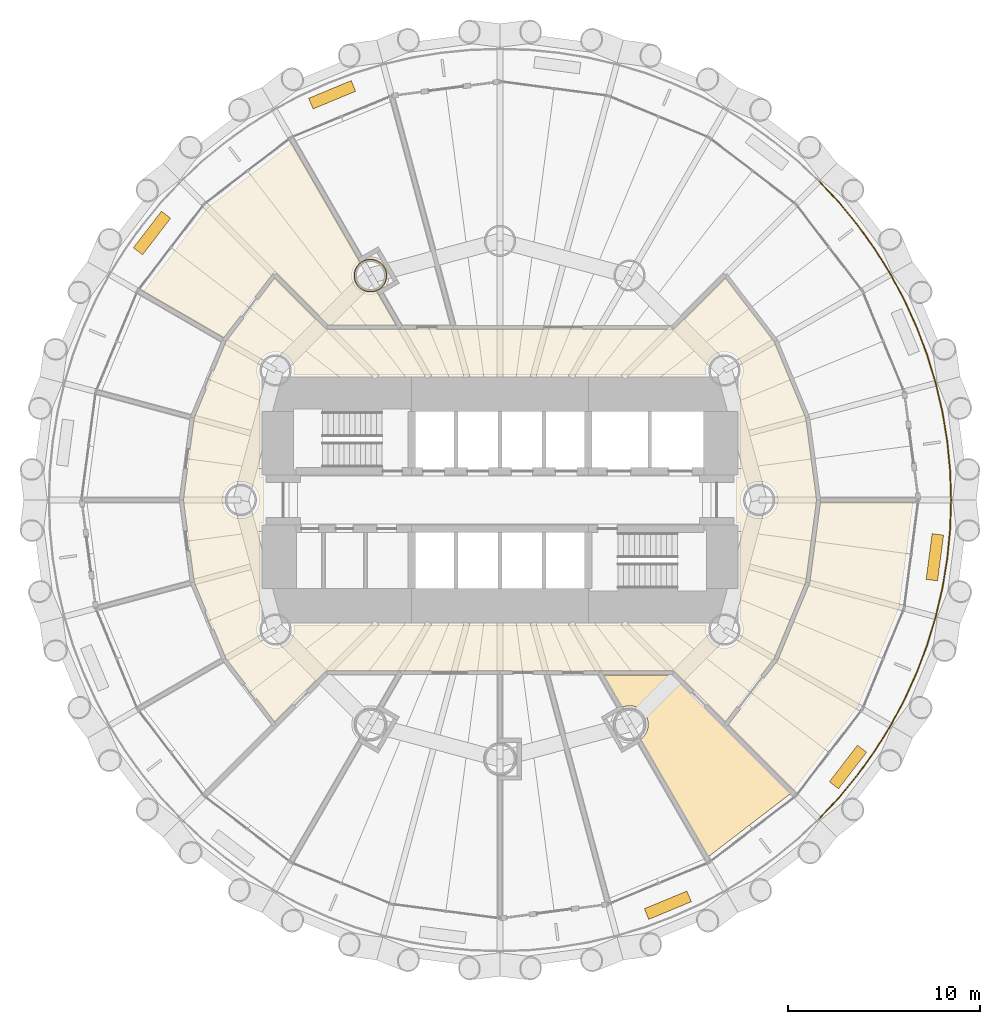
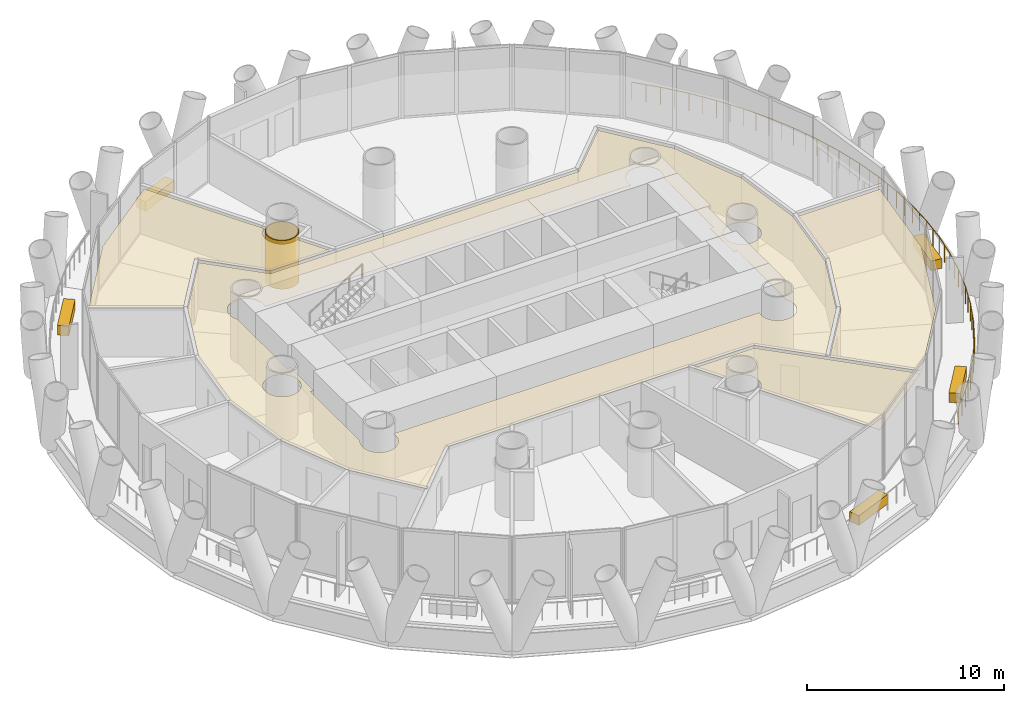
# One storey, part 15 of 16: 10 coverings, 1 railing.
"""IFC4 building model written with IfcOpenShell, lengths in metres."""

from ifc_helpers import new_model, si_unit, direction, frame, origin, origin_2d, place, context, subcontext, project, spatial, polyline, rectangle, circle, outline, extrude, material, layer, layer_set, type_object, element, save


model = new_model("IFC4")

# Units and contexts
model_context = context("Model", 3, precision=1e-05, world=origin(), true_north=direction((0.0, 1.0)))
body_context = subcontext(model_context, "Body", "Model", "MODEL_VIEW")
ifc_project = project(units=[si_unit("LENGTHUNIT", "METRE"), si_unit("AREAUNIT", "SQUARE_METRE"), si_unit("VOLUMEUNIT", "CUBIC_METRE"), si_unit("PLANEANGLEUNIT", "RADIAN"), si_unit("MASSUNIT", "GRAM", prefix="KILO")], contexts=[model_context])

# Site, building, storey
site_placement = place(None, origin())
site = spatial("IfcSite", under=ifc_project, at=site_placement, CompositionType="ELEMENT")
building_placement = place(site_placement, origin())
building = spatial("IfcBuilding", under=site, at=building_placement, Name="Qaws Media Tower", CompositionType="ELEMENT")
storey_placement = place(building_placement, frame((0.0, 0.0, 42.800048828125)))
storey = spatial("IfcBuildingStorey", under=building, at=storey_placement, Name="L08", CompositionType="ELEMENT", Elevation=42.800048828125)

# Covering
ifc_material_1 = material(Name="40 perforated acoustic panels with mineral wool backing, suspended", Category="mineral fibre")
ifc_layer_1 = layer(ifc_material_1, 0.0400390625)
ifc_layer_set_1 = layer_set([ifc_layer_1], Name="Acoustic panel ceiling 40")
covering_type_1 = type_object("IfcCoveringType", Name="Acoustic panel ceiling 40", PredefinedType="CEILING", material=ifc_layer_set_1)
covering_1_placement = place(storey_placement, frame((0.0, 0.0, 2.849853515625)))
element("IfcCovering", 1, at=covering_1_placement, inside=storey, type_object=covering_type_1, Name="CL3 ceiling L08-04 Colour grading room", PredefinedType="CEILING", context=body_context, shape_type="SweptSolid", body=[
    extrude(outline(polyline([(44.772216796875, 65.227783203125), (49.142333984375, 68.5810546875), (52.669921875, 62.471435546875), (52.65771484375, 62.46337890625), (52.56201171875, 62.37939453125), (52.47802734375, 62.28369140625), (52.407470703125, 62.177734375), (52.35107421875, 62.063720703125), (52.310302734375, 61.943115234375), (52.285400390625, 61.818359375), (52.277099609375, 61.69140625), (52.285400390625, 61.564208984375), (52.310302734375, 61.439453125), (52.35107421875, 61.319091796875), (52.407470703125, 61.204833984375), (52.47802734375, 61.09912109375), (52.56201171875, 61.00341796875), (52.65771484375, 60.91943359375), (52.763427734375, 60.8486328125), (52.877685546875, 60.79248046875), (52.998291015625, 60.75146484375), (53.123046875, 60.726806640625), (53.25, 60.71826171875), (53.376953125, 60.726806640625), (53.501708984375, 60.75146484375), (53.622314453125, 60.79248046875), (53.635498046875, 60.798828125), (54.60888671875, 59.112548828125), (51.046630859375, 59.112548828125), (48.2509765625, 61.908203125), (45.5947265625, 58.44677734375), (41.4189453125, 60.857666015625), (44.772216796875, 65.227783203125)])), origin(), (0.0, 0.0, 1.0), 0.0400390625),
])

# Railing
ifc_material_2 = material(Name="Stainless steel and glass guard", Category="steel")
railing_type = type_object("IfcRailingType", Name="Balcony guard 1100", PredefinedType="GUARDRAIL", material=ifc_material_2)
railing_placement = place(storey_placement, frame((76.616943359375, 33.383056640625, 0.0)))
element("IfcRailing", 2, at=railing_placement, inside=storey, type_object=railing_type, Name="GR1 balcony guard L08-4", PredefinedType="GUARDRAIL", context=body_context, shape_type="SweptSolid", body=[
    extrude(circle(Radius=0.02392578125, at=origin_2d()), frame((0.0, 0.0, 1.076171875), z_axis=(0.683629483557, 0.729829246613, 0.0), x_axis=(-0.729829246613, 0.683629483557, 0.0)), (0.0, 0.0, 1.0), 1.537841796875),
    extrude(circle(Radius=0.02392578125, at=origin_2d()), frame((1.05126953125, 1.122314453125, 1.076171875), z_axis=(0.634404190621, 0.773001502536, 0.0), x_axis=(-0.773001502536, 0.634404190621, 0.0)), (0.0, 0.0, 1.0), 1.537841796875),
    extrude(circle(Radius=0.02392578125, at=origin_2d()), frame((2.02685546875, 2.31103515625, 1.076171875), z_axis=(0.582483978532, 0.812842183178, 0.0), x_axis=(-0.812842183178, 0.582483978532, 0.0)), (0.0, 0.0, 1.0), 1.537841796875),
    extrude(circle(Radius=0.02392578125, at=origin_2d()), frame((2.922607421875, 3.56103515625, 1.076171875), z_axis=(0.528042439698, 0.849217982545, 0.0), x_axis=(-0.849217982545, 0.528042439698, 0.0)), (0.0, 0.0, 1.0), 1.537841796875),
    extrude(circle(Radius=0.02392578125, at=origin_2d()), frame((3.734619140625, 4.866943359375, 1.076171875), z_axis=(0.471370883899, 0.881935082539, 0.0), x_axis=(-0.881935082539, 0.471370883899, 0.0)), (0.0, 0.0, 1.0), 1.537841796875),
    extrude(circle(Radius=0.02392578125, at=origin_2d()), frame((4.45947265625, 6.22314453125, 1.076171875), z_axis=(0.412785945288, 0.91082806466, 0.0), x_axis=(-0.91082806466, 0.412785945288, 0.0)), (0.0, 0.0, 1.0), 1.537841796875),
    extrude(circle(Radius=0.02392578125, at=origin_2d()), frame((5.09423828125, 7.623779296875, 1.076171875), z_axis=(0.352236524079, 0.93591101666, 0.0), x_axis=(-0.93591101666, 0.352236524079, 0.0)), (0.0, 0.0, 1.0), 1.5380859375),
    extrude(circle(Radius=0.02392578125, at=origin_2d()), frame((5.635986328125, 9.063232421875, 1.076171875), z_axis=(0.290245352327, 0.956952263936, 0.0), x_axis=(-0.956952263936, 0.290245352327, 0.0)), (0.0, 0.0, 1.0), 1.53759765625),
    extrude(circle(Radius=0.02392578125, at=origin_2d()), frame((6.082275390625, 10.53466796875, 1.076171875), z_axis=(0.227038888344, 0.973885693077, 0.0), x_axis=(-0.973885693077, 0.227038888344, 0.0)), (0.0, 0.0, 1.0), 1.53759765625),
    extrude(circle(Radius=0.02392578125, at=origin_2d()), frame((6.431396484375, 12.0322265625, 1.076171875), z_axis=(0.163034453184, 0.986620376373, 0.0), x_axis=(-0.986620376373, 0.163034453184, 0.0)), (0.0, 0.0, 1.0), 1.537841796875),
    extrude(circle(Radius=0.02392578125, at=origin_2d()), frame((6.68212890625, 13.549560546875, 1.076171875), z_axis=(0.097947552028, 0.995191578065, 0.0), x_axis=(-0.995191578065, 0.097947552028, 0.0)), (0.0, 0.0, 1.0), 1.537841796875),
    extrude(circle(Radius=0.02392578125, at=origin_2d()), frame((6.832763671875, 15.080078125, 1.076171875), z_axis=(0.032706876461, 0.999464986997, 0.0), x_axis=(-0.999464986997, 0.032706876461, 0.0)), (0.0, 0.0, 1.0), 1.53759765625),
    extrude(circle(Radius=0.02392578125, at=origin_2d()), frame((6.883056640625, 16.616943359375, 1.076171875), z_axis=(-0.032706876461, 0.999464986997, 0.0), x_axis=(-0.999464986997, -0.032706876461, 0.0)), (0.0, 0.0, 1.0), 1.53759765625),
    extrude(circle(Radius=0.02392578125, at=origin_2d()), frame((6.832763671875, 18.15380859375, 1.076171875), z_axis=(-0.097947552028, 0.995191578065, 0.0), x_axis=(-0.995191578065, -0.097947552028, 0.0)), (0.0, 0.0, 1.0), 1.537841796875),
    extrude(circle(Radius=0.02392578125, at=origin_2d()), frame((6.68212890625, 19.684326171875, 1.076171875), z_axis=(-0.163034453184, 0.986620376373, 0.0), x_axis=(-0.986620376373, -0.163034453184, 0.0)), (0.0, 0.0, 1.0), 1.537841796875),
    extrude(circle(Radius=0.02392578125, at=origin_2d()), frame((6.431396484375, 21.20166015625, 1.076171875), z_axis=(-0.227038888344, 0.973885693077, 0.0), x_axis=(-0.973885693077, -0.227038888344, 0.0)), (0.0, 0.0, 1.0), 1.53759765625),
    extrude(circle(Radius=0.02392578125, at=origin_2d()), frame((6.082275390625, 22.69921875, 1.076171875), z_axis=(-0.290245352327, 0.956952263936, 0.0), x_axis=(-0.956952263936, -0.290245352327, 0.0)), (0.0, 0.0, 1.0), 1.53759765625),
    extrude(circle(Radius=0.02392578125, at=origin_2d()), frame((5.635986328125, 24.170654296875, 1.076171875), z_axis=(-0.352236524079, 0.93591101666, 0.0), x_axis=(-0.93591101666, -0.352236524079, 0.0)), (0.0, 0.0, 1.0), 1.5380859375),
    extrude(circle(Radius=0.02392578125, at=origin_2d()), frame((5.09423828125, 25.610107421875, 1.076171875), z_axis=(-0.412785945288, 0.91082806466, 0.0), x_axis=(-0.91082806466, -0.412785945288, 0.0)), (0.0, 0.0, 1.0), 1.537841796875),
    extrude(circle(Radius=0.02392578125, at=origin_2d()), frame((4.45947265625, 27.0107421875, 1.076171875), z_axis=(-0.471370883899, 0.881935082539, 0.0), x_axis=(-0.881935082539, -0.471370883899, 0.0)), (0.0, 0.0, 1.0), 1.537841796875),
    extrude(circle(Radius=0.02392578125, at=origin_2d()), frame((3.734619140625, 28.366943359375, 1.076171875), z_axis=(-0.528042439698, 0.849217982545, 0.0), x_axis=(-0.849217982545, -0.528042439698, 0.0)), (0.0, 0.0, 1.0), 1.537841796875),
    extrude(circle(Radius=0.02392578125, at=origin_2d()), frame((2.922607421875, 29.6728515625, 1.076171875), z_axis=(-0.582483978532, 0.812842183178, 0.0), x_axis=(-0.812842183178, -0.582483978532, 0.0)), (0.0, 0.0, 1.0), 1.537841796875),
    extrude(circle(Radius=0.02392578125, at=origin_2d()), frame((2.02685546875, 30.9228515625, 1.076171875), z_axis=(-0.634404190621, 0.773001502536, 0.0), x_axis=(-0.773001502536, -0.634404190621, 0.0)), (0.0, 0.0, 1.0), 1.537841796875),
    extrude(circle(Radius=0.02392578125, at=origin_2d()), frame((1.05126953125, 32.111572265625, 1.076171875), z_axis=(-0.683629483557, 0.729829246613, 0.0), x_axis=(-0.729829246613, -0.683629483557, 0.0)), (0.0, 0.0, 1.0), 1.537841796875),
    extrude(circle(Radius=0.02099609375, at=origin_2d()), origin(), (0.0, 0.0, 1.0), 1.052001953125),
    extrude(circle(Radius=0.02099609375, at=origin_2d()), frame((0.525634765625, 0.56103515625, 0.0)), (0.0, 0.0, 1.0), 1.052001953125),
    extrude(circle(Radius=0.02099609375, at=origin_2d()), frame((1.05126953125, 1.122314453125, 0.0)), (0.0, 0.0, 1.0), 1.052001953125),
    extrude(circle(Radius=0.02099609375, at=origin_2d()), frame((1.5390625, 1.716796875, 0.0)), (0.0, 0.0, 1.0), 1.052001953125),
    extrude(circle(Radius=0.02099609375, at=origin_2d()), frame((2.02685546875, 2.31103515625, 0.0)), (0.0, 0.0, 1.0), 1.052001953125),
    extrude(circle(Radius=0.02099609375, at=origin_2d()), frame((2.474609375, 2.93603515625, 0.0)), (0.0, 0.0, 1.0), 1.052001953125),
    extrude(circle(Radius=0.02099609375, at=origin_2d()), frame((2.922607421875, 3.56103515625, 0.0)), (0.0, 0.0, 1.0), 1.052001953125),
    extrude(circle(Radius=0.02099609375, at=origin_2d()), frame((3.32861328125, 4.2138671875, 0.0)), (0.0, 0.0, 1.0), 1.052001953125),
    extrude(circle(Radius=0.02099609375, at=origin_2d()), frame((3.734619140625, 4.866943359375, 0.0)), (0.0, 0.0, 1.0), 1.052001953125),
    extrude(circle(Radius=0.02099609375, at=origin_2d()), frame((4.09716796875, 5.544921875, 0.0)), (0.0, 0.0, 1.0), 1.052001953125),
    extrude(circle(Radius=0.02099609375, at=origin_2d()), frame((4.45947265625, 6.22314453125, 0.0)), (0.0, 0.0, 1.0), 1.052001953125),
    extrude(circle(Radius=0.02099609375, at=origin_2d()), frame((4.77685546875, 6.92333984375, 0.0)), (0.0, 0.0, 1.0), 1.052001953125),
    extrude(circle(Radius=0.02099609375, at=origin_2d()), frame((5.09423828125, 7.623779296875, 0.0)), (0.0, 0.0, 1.0), 1.052001953125),
    extrude(circle(Radius=0.02099609375, at=origin_2d()), frame((5.365234375, 8.343505859375, 0.0)), (0.0, 0.0, 1.0), 1.052001953125),
    extrude(circle(Radius=0.02099609375, at=origin_2d()), frame((5.635986328125, 9.063232421875, 0.0)), (0.0, 0.0, 1.0), 1.052001953125),
    extrude(circle(Radius=0.02099609375, at=origin_2d()), frame((5.859130859375, 9.798828125, 0.0)), (0.0, 0.0, 1.0), 1.052001953125),
    extrude(circle(Radius=0.02099609375, at=origin_2d()), frame((6.082275390625, 10.53466796875, 0.0)), (0.0, 0.0, 1.0), 1.052001953125),
    extrude(circle(Radius=0.02099609375, at=origin_2d()), frame((6.2568359375, 11.283447265625, 0.0)), (0.0, 0.0, 1.0), 1.052001953125),
    extrude(circle(Radius=0.02099609375, at=origin_2d()), frame((6.431396484375, 12.0322265625, 0.0)), (0.0, 0.0, 1.0), 1.052001953125),
    extrude(circle(Radius=0.02099609375, at=origin_2d()), frame((6.556640625, 12.791015625, 0.0)), (0.0, 0.0, 1.0), 1.052001953125),
    extrude(circle(Radius=0.02099609375, at=origin_2d()), frame((6.68212890625, 13.549560546875, 0.0)), (0.0, 0.0, 1.0), 1.052001953125),
    extrude(circle(Radius=0.02099609375, at=origin_2d()), frame((6.75732421875, 14.31494140625, 0.0)), (0.0, 0.0, 1.0), 1.052001953125),
    extrude(circle(Radius=0.02099609375, at=origin_2d()), frame((6.832763671875, 15.080078125, 0.0)), (0.0, 0.0, 1.0), 1.052001953125),
    extrude(circle(Radius=0.02099609375, at=origin_2d()), frame((6.85791015625, 15.8486328125, 0.0)), (0.0, 0.0, 1.0), 1.052001953125),
    extrude(circle(Radius=0.02099609375, at=origin_2d()), frame((6.883056640625, 16.616943359375, 0.0)), (0.0, 0.0, 1.0), 1.052001953125),
    extrude(circle(Radius=0.02099609375, at=origin_2d()), frame((6.85791015625, 17.38525390625, 0.0)), (0.0, 0.0, 1.0), 1.052001953125),
    extrude(circle(Radius=0.02099609375, at=origin_2d()), frame((6.832763671875, 18.15380859375, 0.0)), (0.0, 0.0, 1.0), 1.052001953125),
    extrude(circle(Radius=0.02099609375, at=origin_2d()), frame((6.75732421875, 18.9189453125, 0.0)), (0.0, 0.0, 1.0), 1.052001953125),
    extrude(circle(Radius=0.02099609375, at=origin_2d()), frame((6.68212890625, 19.684326171875, 0.0)), (0.0, 0.0, 1.0), 1.052001953125),
    extrude(circle(Radius=0.02099609375, at=origin_2d()), frame((6.556640625, 20.44287109375, 0.0)), (0.0, 0.0, 1.0), 1.052001953125),
    extrude(circle(Radius=0.02099609375, at=origin_2d()), frame((6.431396484375, 21.20166015625, 0.0)), (0.0, 0.0, 1.0), 1.052001953125),
    extrude(circle(Radius=0.02099609375, at=origin_2d()), frame((6.2568359375, 21.950439453125, 0.0)), (0.0, 0.0, 1.0), 1.052001953125),
    extrude(circle(Radius=0.02099609375, at=origin_2d()), frame((6.082275390625, 22.69921875, 0.0)), (0.0, 0.0, 1.0), 1.052001953125),
    extrude(circle(Radius=0.02099609375, at=origin_2d()), frame((5.859130859375, 23.43505859375, 0.0)), (0.0, 0.0, 1.0), 1.052001953125),
    extrude(circle(Radius=0.02099609375, at=origin_2d()), frame((5.635986328125, 24.170654296875, 0.0)), (0.0, 0.0, 1.0), 1.052001953125),
    extrude(circle(Radius=0.02099609375, at=origin_2d()), frame((5.365234375, 24.890380859375, 0.0)), (0.0, 0.0, 1.0), 1.052001953125),
    extrude(circle(Radius=0.02099609375, at=origin_2d()), frame((5.09423828125, 25.610107421875, 0.0)), (0.0, 0.0, 1.0), 1.052001953125),
    extrude(circle(Radius=0.02099609375, at=origin_2d()), frame((4.77685546875, 26.310546875, 0.0)), (0.0, 0.0, 1.0), 1.052001953125),
    extrude(circle(Radius=0.02099609375, at=origin_2d()), frame((4.45947265625, 27.0107421875, 0.0)), (0.0, 0.0, 1.0), 1.052001953125),
    extrude(circle(Radius=0.02099609375, at=origin_2d()), frame((4.09716796875, 27.68896484375, 0.0)), (0.0, 0.0, 1.0), 1.052001953125),
    extrude(circle(Radius=0.02099609375, at=origin_2d()), frame((3.734619140625, 28.366943359375, 0.0)), (0.0, 0.0, 1.0), 1.052001953125),
    extrude(circle(Radius=0.02099609375, at=origin_2d()), frame((3.32861328125, 29.02001953125, 0.0)), (0.0, 0.0, 1.0), 1.052001953125),
    extrude(circle(Radius=0.02099609375, at=origin_2d()), frame((2.922607421875, 29.6728515625, 0.0)), (0.0, 0.0, 1.0), 1.052001953125),
    extrude(circle(Radius=0.02099609375, at=origin_2d()), frame((2.474609375, 30.2978515625, 0.0)), (0.0, 0.0, 1.0), 1.052001953125),
    extrude(circle(Radius=0.02099609375, at=origin_2d()), frame((2.02685546875, 30.9228515625, 0.0)), (0.0, 0.0, 1.0), 1.052001953125),
    extrude(circle(Radius=0.02099609375, at=origin_2d()), frame((1.5390625, 31.51708984375, 0.0)), (0.0, 0.0, 1.0), 1.052001953125),
    extrude(circle(Radius=0.02099609375, at=origin_2d()), frame((1.05126953125, 32.111572265625, 0.0)), (0.0, 0.0, 1.0), 1.052001953125),
    extrude(circle(Radius=0.02099609375, at=origin_2d()), frame((0.525634765625, 32.6728515625, 0.0)), (0.0, 0.0, 1.0), 1.052001953125),
    extrude(circle(Radius=0.02099609375, at=origin_2d()), frame((0.0, 33.23388671875, 0.0)), (0.0, 0.0, 1.0), 1.052001953125),
])

# Coverings
ifc_material_3 = material(Name="Two layers 15 fire-rated gypsum board on steel framing", Category="steel")
ifc_layer_2 = layer(ifc_material_3, 0.050048828125)
ifc_layer_set_2 = layer_set([ifc_layer_2], Name="Column fire casing")
covering_type_2 = type_object("IfcCoveringType", Name="Column fire casing", PredefinedType="CLADDING", material=ifc_layer_set_2)
covering_2_placement = place(storey_placement, origin())
element("IfcCovering", 3, at=covering_2_placement, inside=storey, type_object=covering_type_2, Name="CC1 column casing L08", PredefinedType="CLADDING", context=body_context, shape_type="SweptSolid", body=[
    extrude(outline(polyline([(54.117919921875, 61.69140625), (54.110595703125, 61.577880859375), (54.08837890625, 61.466796875), (54.052001953125, 61.359130859375), (54.001708984375, 61.25732421875), (53.938720703125, 61.162841796875), (53.86376953125, 61.07763671875), (53.7783203125, 61.002685546875), (53.68408203125, 60.939697265625), (53.582275390625, 60.889404296875), (53.474609375, 60.852783203125), (53.36328125, 60.830810546875), (53.25, 60.8232421875), (53.13671875, 60.830810546875), (53.025390625, 60.852783203125), (52.917724609375, 60.889404296875), (52.81591796875, 60.939697265625), (52.7216796875, 61.002685546875), (52.63623046875, 61.07763671875), (52.561279296875, 61.162841796875), (52.498291015625, 61.25732421875), (52.447998046875, 61.359130859375), (52.41162109375, 61.466796875), (52.389404296875, 61.577880859375), (52.382080078125, 61.69140625), (52.389404296875, 61.8046875), (52.41162109375, 61.916015625), (52.447998046875, 62.0234375), (52.498291015625, 62.125244140625), (52.561279296875, 62.2197265625), (52.63623046875, 62.30517578125), (52.7216796875, 62.3798828125), (52.81591796875, 62.443115234375), (52.917724609375, 62.493408203125), (53.025390625, 62.52978515625), (53.13671875, 62.552001953125), (53.25, 62.559326171875), (53.36328125, 62.552001953125), (53.474609375, 62.52978515625), (53.582275390625, 62.493408203125), (53.68408203125, 62.443115234375), (53.7783203125, 62.3798828125), (53.86376953125, 62.30517578125), (53.938720703125, 62.2197265625), (54.001708984375, 62.125244140625), (54.052001953125, 62.0234375), (54.08837890625, 61.916015625), (54.110595703125, 61.8046875), (54.117919921875, 61.69140625)]), holes=[polyline([(54.06591796875, 61.69140625), (54.05908203125, 61.584716796875), (54.0380859375, 61.47998046875), (54.00390625, 61.379150390625), (53.956787109375, 61.283203125), (53.8974609375, 61.194580078125), (53.826904296875, 61.1142578125), (53.74658203125, 61.0439453125), (53.657958984375, 60.984619140625), (53.562255859375, 60.9375), (53.461181640625, 60.903076171875), (53.3564453125, 60.88232421875), (53.25, 60.875244140625), (53.1435546875, 60.88232421875), (53.038818359375, 60.903076171875), (52.937744140625, 60.9375), (52.842041015625, 60.984619140625), (52.75341796875, 61.0439453125), (52.673095703125, 61.1142578125), (52.6025390625, 61.194580078125), (52.543212890625, 61.283203125), (52.49609375, 61.379150390625), (52.4619140625, 61.47998046875), (52.44091796875, 61.584716796875), (52.43408203125, 61.69140625), (52.44091796875, 61.7978515625), (52.4619140625, 61.902587890625), (52.49609375, 62.003662109375), (52.543212890625, 62.099365234375), (52.6025390625, 62.18798828125), (52.673095703125, 62.268310546875), (52.75341796875, 62.338623046875), (52.842041015625, 62.39794921875), (52.937744140625, 62.4453125), (53.038818359375, 62.4794921875), (53.1435546875, 62.50048828125), (53.25, 62.50732421875), (53.3564453125, 62.50048828125), (53.461181640625, 62.4794921875), (53.562255859375, 62.4453125), (53.657958984375, 62.39794921875), (53.74658203125, 62.338623046875), (53.826904296875, 62.268310546875), (53.8974609375, 62.18798828125), (53.956787109375, 62.099365234375), (54.00390625, 62.003662109375), (54.0380859375, 61.902587890625), (54.05908203125, 61.7978515625), (54.06591796875, 61.69140625)])]), origin(), (0.0, 0.0, 1.0), 3.02001953125),
])
ifc_material_4 = material(Name="600 x 600 mineral fibre tiles in exposed grid, suspended", Category="mineral fibre")
ifc_layer_3 = layer(ifc_material_4, 0.02001953125)
ifc_layer_set_3 = layer_set([ifc_layer_3], Name="Mineral fibre tile ceiling 20")
covering_type_3 = type_object("IfcCoveringType", Name="Mineral fibre tile ceiling 20", PredefinedType="CEILING", material=ifc_layer_set_3)
covering_3_placement = place(storey_placement, frame((0.0, 0.0, 2.849853515625)))
element("IfcCovering", 4, at=covering_3_placement, inside=storey, type_object=covering_type_3, Name="CL1 ceiling L08-01 Corridor", PredefinedType="CEILING", context=body_context, shape_type="SweptSolid", body=[
    extrude(outline(polyline([(48.273193359375, 38.432373046875), (45.72216796875, 41.756591796875), (44.0751953125, 45.73291015625), (43.513427734375, 50.0), (44.0751953125, 54.26708984375), (45.72216796875, 58.243408203125), (48.273193359375, 61.567626953125), (50.953369140625, 58.887451171875), (69.046630859375, 58.887451171875), (71.726806640625, 61.567626953125), (74.27783203125, 58.243408203125), (75.9248046875, 54.26708984375), (76.486572265625, 50.0), (75.9248046875, 45.73291015625), (74.27783203125, 41.756591796875), (71.726806640625, 38.432373046875), (69.046630859375, 41.112548828125), (50.953369140625, 41.112548828125), (48.273193359375, 38.432373046875)]), holes=[polyline([(72.512451171875, 48.8125), (72.3125, 48.8125), (72.3125, 51.1875), (72.512451171875, 51.1875), (72.512451171875, 56.231201171875), (72.533935546875, 56.263427734375), (72.59033203125, 56.377685546875), (72.631103515625, 56.498291015625), (72.656005859375, 56.623046875), (72.664306640625, 56.75), (72.656005859375, 56.876953125), (72.631103515625, 57.001708984375), (72.59033203125, 57.122314453125), (72.533935546875, 57.236572265625), (72.46337890625, 57.34228515625), (72.37939453125, 57.43798828125), (72.28369140625, 57.52197265625), (72.177734375, 57.592529296875), (72.063720703125, 57.64892578125), (71.943115234375, 57.689697265625), (71.818359375, 57.714599609375), (71.69140625, 57.722900390625), (71.564208984375, 57.714599609375), (71.439453125, 57.689697265625), (71.319091796875, 57.64892578125), (71.204833984375, 57.592529296875), (71.09912109375, 57.52197265625), (71.00341796875, 57.43798828125), (70.91943359375, 57.34228515625), (70.8486328125, 57.236572265625), (70.79248046875, 57.122314453125), (70.75146484375, 57.001708984375), (70.726806640625, 56.876953125), (70.71826171875, 56.75), (70.726806640625, 56.623046875), (70.74853515625, 56.512451171875), (49.25146484375, 56.512451171875), (49.273193359375, 56.623046875), (49.28173828125, 56.75), (49.273193359375, 56.876953125), (49.24853515625, 57.001708984375), (49.20751953125, 57.122314453125), (49.1513671875, 57.236572265625), (49.08056640625, 57.34228515625), (48.99658203125, 57.43798828125), (48.90087890625, 57.52197265625), (48.795166015625, 57.592529296875), (48.680908203125, 57.64892578125), (48.560546875, 57.689697265625), (48.435791015625, 57.714599609375), (48.30859375, 57.722900390625), (48.181640625, 57.714599609375), (48.056884765625, 57.689697265625), (47.936279296875, 57.64892578125), (47.822265625, 57.592529296875), (47.71630859375, 57.52197265625), (47.62060546875, 57.43798828125), (47.53662109375, 57.34228515625), (47.466064453125, 57.236572265625), (47.40966796875, 57.122314453125), (47.368896484375, 57.001708984375), (47.343994140625, 56.876953125), (47.335693359375, 56.75), (47.343994140625, 56.623046875), (47.368896484375, 56.498291015625), (47.40966796875, 56.377685546875), (47.466064453125, 56.263427734375), (47.487548828125, 56.231201171875), (47.487548828125, 51.1875), (47.6875, 51.1875), (47.6875, 48.8125), (47.487548828125, 48.8125), (47.487548828125, 43.768798828125), (47.466064453125, 43.736572265625), (47.40966796875, 43.622314453125), (47.368896484375, 43.501708984375), (47.343994140625, 43.376953125), (47.335693359375, 43.25), (47.343994140625, 43.123046875), (47.368896484375, 42.998291015625), (47.40966796875, 42.877685546875), (47.466064453125, 42.763427734375), (47.53662109375, 42.65771484375), (47.62060546875, 42.56201171875), (47.71630859375, 42.47802734375), (47.822265625, 42.407470703125), (47.936279296875, 42.35107421875), (48.056884765625, 42.310302734375), (48.181640625, 42.285400390625), (48.30859375, 42.277099609375), (48.435791015625, 42.285400390625), (48.560546875, 42.310302734375), (48.680908203125, 42.35107421875), (48.795166015625, 42.407470703125), (48.90087890625, 42.47802734375), (48.99658203125, 42.56201171875), (49.08056640625, 42.65771484375), (49.1513671875, 42.763427734375), (49.20751953125, 42.877685546875), (49.24853515625, 42.998291015625), (49.273193359375, 43.123046875), (49.28173828125, 43.25), (49.273193359375, 43.376953125), (49.25146484375, 43.487548828125), (70.74853515625, 43.487548828125), (70.726806640625, 43.376953125), (70.71826171875, 43.25), (70.726806640625, 43.123046875), (70.75146484375, 42.998291015625), (70.79248046875, 42.877685546875), (70.8486328125, 42.763427734375), (70.91943359375, 42.65771484375), (71.00341796875, 42.56201171875), (71.09912109375, 42.47802734375), (71.204833984375, 42.407470703125), (71.319091796875, 42.35107421875), (71.439453125, 42.310302734375), (71.564208984375, 42.285400390625), (71.69140625, 42.277099609375), (71.818359375, 42.285400390625), (71.943115234375, 42.310302734375), (72.063720703125, 42.35107421875), (72.177734375, 42.407470703125), (72.28369140625, 42.47802734375), (72.37939453125, 42.56201171875), (72.46337890625, 42.65771484375), (72.533935546875, 42.763427734375), (72.59033203125, 42.877685546875), (72.631103515625, 42.998291015625), (72.656005859375, 43.123046875), (72.664306640625, 43.25), (72.656005859375, 43.376953125), (72.631103515625, 43.501708984375), (72.59033203125, 43.622314453125), (72.533935546875, 43.736572265625), (72.512451171875, 43.768798828125), (72.512451171875, 48.8125)]), polyline([(47.39892578125, 49.627685546875), (47.439697265625, 49.748291015625), (47.464599609375, 49.873046875), (47.472900390625, 50.0), (47.464599609375, 50.126953125), (47.439697265625, 50.251708984375), (47.39892578125, 50.372314453125), (47.342529296875, 50.486572265625), (47.27197265625, 50.59228515625), (47.18798828125, 50.68798828125), (47.09228515625, 50.77197265625), (46.986572265625, 50.842529296875), (46.872314453125, 50.89892578125), (46.751708984375, 50.939697265625), (46.626953125, 50.964599609375), (46.5, 50.972900390625), (46.373046875, 50.964599609375), (46.248291015625, 50.939697265625), (46.127685546875, 50.89892578125), (46.013427734375, 50.842529296875), (45.90771484375, 50.77197265625), (45.81201171875, 50.68798828125), (45.72802734375, 50.59228515625), (45.657470703125, 50.486572265625), (45.60107421875, 50.372314453125), (45.560302734375, 50.251708984375), (45.535400390625, 50.126953125), (45.527099609375, 50.0), (45.535400390625, 49.873046875), (45.560302734375, 49.748291015625), (45.60107421875, 49.627685546875), (45.657470703125, 49.513427734375), (45.72802734375, 49.40771484375), (45.81201171875, 49.31201171875), (45.90771484375, 49.22802734375), (46.013427734375, 49.157470703125), (46.127685546875, 49.10107421875), (46.248291015625, 49.060302734375), (46.373046875, 49.035400390625), (46.5, 49.027099609375), (46.626953125, 49.035400390625), (46.751708984375, 49.060302734375), (46.872314453125, 49.10107421875), (46.986572265625, 49.157470703125), (47.09228515625, 49.22802734375), (47.18798828125, 49.31201171875), (47.27197265625, 49.40771484375), (47.342529296875, 49.513427734375), (47.39892578125, 49.627685546875)]), polyline([(74.439697265625, 49.748291015625), (74.464599609375, 49.873046875), (74.472900390625, 50.0), (74.464599609375, 50.126953125), (74.439697265625, 50.251708984375), (74.39892578125, 50.372314453125), (74.342529296875, 50.486572265625), (74.27197265625, 50.59228515625), (74.18798828125, 50.68798828125), (74.09228515625, 50.77197265625), (73.986572265625, 50.842529296875), (73.872314453125, 50.89892578125), (73.751708984375, 50.939697265625), (73.626953125, 50.964599609375), (73.5, 50.972900390625), (73.373046875, 50.964599609375), (73.248291015625, 50.939697265625), (73.127685546875, 50.89892578125), (73.013427734375, 50.842529296875), (72.90771484375, 50.77197265625), (72.81201171875, 50.68798828125), (72.72802734375, 50.59228515625), (72.657470703125, 50.486572265625), (72.60107421875, 50.372314453125), (72.560302734375, 50.251708984375), (72.535400390625, 50.126953125), (72.527099609375, 50.0), (72.535400390625, 49.873046875), (72.560302734375, 49.748291015625), (72.60107421875, 49.627685546875), (72.657470703125, 49.513427734375), (72.72802734375, 49.40771484375), (72.81201171875, 49.31201171875), (72.90771484375, 49.22802734375), (73.013427734375, 49.157470703125), (73.127685546875, 49.10107421875), (73.248291015625, 49.060302734375), (73.373046875, 49.035400390625), (73.5, 49.027099609375), (73.626953125, 49.035400390625), (73.751708984375, 49.060302734375), (73.872314453125, 49.10107421875), (73.986572265625, 49.157470703125), (74.09228515625, 49.22802734375), (74.18798828125, 49.31201171875), (74.27197265625, 49.40771484375), (74.342529296875, 49.513427734375), (74.39892578125, 49.627685546875), (74.439697265625, 49.748291015625)])]), origin(), (0.0, 0.0, 1.0), 0.02001953125),
])
covering_4_placement = place(storey_placement, frame((0.0, 0.0, 2.849853515625)))
element("IfcCovering", 5, at=covering_4_placement, inside=storey, type_object=covering_type_3, Name="CL1 ceiling L08-14 Ladies toilets", PredefinedType="CEILING", context=body_context, shape_type="SweptSolid", body=[
    extrude(outline(polyline([(70.857666015625, 31.4189453125), (67.330078125, 37.528564453125), (67.34228515625, 37.53662109375), (67.43798828125, 37.62060546875), (67.52197265625, 37.71630859375), (67.592529296875, 37.822265625), (67.64892578125, 37.936279296875), (67.689697265625, 38.056884765625), (67.714599609375, 38.181640625), (67.722900390625, 38.30859375), (67.714599609375, 38.435791015625), (67.689697265625, 38.560546875), (67.64892578125, 38.680908203125), (67.592529296875, 38.795166015625), (67.52197265625, 38.90087890625), (67.43798828125, 38.99658203125), (67.34228515625, 39.08056640625), (67.236572265625, 39.1513671875), (67.122314453125, 39.20751953125), (67.001708984375, 39.24853515625), (66.876953125, 39.273193359375), (66.75, 39.28173828125), (66.623046875, 39.273193359375), (66.498291015625, 39.24853515625), (66.377685546875, 39.20751953125), (66.364501953125, 39.201171875), (65.39111328125, 40.887451171875), (68.953369140625, 40.887451171875), (75.1376953125, 34.703125), (70.857666015625, 31.4189453125)])), origin(), (0.0, 0.0, 1.0), 0.02001953125),
])
covering_5_placement = place(storey_placement, frame((0.0, 0.0, 2.849853515625)))
element("IfcCovering", 6, at=covering_5_placement, inside=storey, type_object=covering_type_3, Name="CL1 ceiling L08-15 Production office", PredefinedType="CEILING", context=body_context, shape_type="SweptSolid", body=[
    extrude(outline(polyline([(80.801513671875, 44.42626953125), (78.650146484375, 39.232421875), (75.296875, 34.8623046875), (71.88720703125, 38.271728515625), (74.474365234375, 41.643310546875), (76.14404296875, 45.67431640625), (76.69873046875, 49.887451171875), (81.5205078125, 49.887451171875), (80.801513671875, 44.42626953125)])), origin(), (0.0, 0.0, 1.0), 0.02001953125),
])
ifc_material_5 = material(Name="Precast concrete planter with trailing planting", Category="concrete")
ifc_layer_4 = layer(ifc_material_5, 0.60009765625)
ifc_layer_set_4 = layer_set([ifc_layer_4], Name="Planter 2400x600")
covering_type_4 = type_object("IfcCoveringType", Name="Planter 2400x600", PredefinedType="USERDEFINED", material=ifc_layer_set_4)
for number, where, z_axis, x_axis, name in (
    (7, (51.255615234375, 71.110595703125, 0.0), (0.0, 0.0, 1.0), (-0.923879532511, -0.382683432365, 0.0), "PL1 balcony planter L08-04"),
    (8, (41.871826171875, 63.91015625, 0.0), (0.0, 0.0, 1.0), (-0.608761429009, -0.793353340291, 0.0), "PL1 balcony planter L08-05"),
    (9, (68.744384765625, 28.889404296875, 0.0), (0.0, 0.0, 1.0), (0.923879532511, 0.382683432365, 0.0), "PL1 balcony planter L08-10"),
    (10, (78.128173828125, 36.08984375, 0.0), (0.0, 0.0, 1.0), (0.608761429009, 0.793353340291, 0.0), "PL1 balcony planter L08-11"),
    (11, (82.654541015625, 47.017578125, 0.0), (0.0, 0.0, 1.0), (0.13052619222, 0.991444861374, 0.0), "PL1 balcony planter L08-12"),
):
    element("IfcCovering", number, at=place(storey_placement, frame(where, z_axis=z_axis, x_axis=x_axis)), inside=storey, type_object=covering_type_4, Name=name, ObjectType="PLANTER", PredefinedType="USERDEFINED", context=body_context, shape_type="SweptSolid", body=[
        extrude(rectangle(XDim=2.39990234375, YDim=0.60009765625, at=origin_2d()), origin(), (0.0, 0.0, 1.0), 0.60009765625),
    ])

save(model, "model.ifc")
